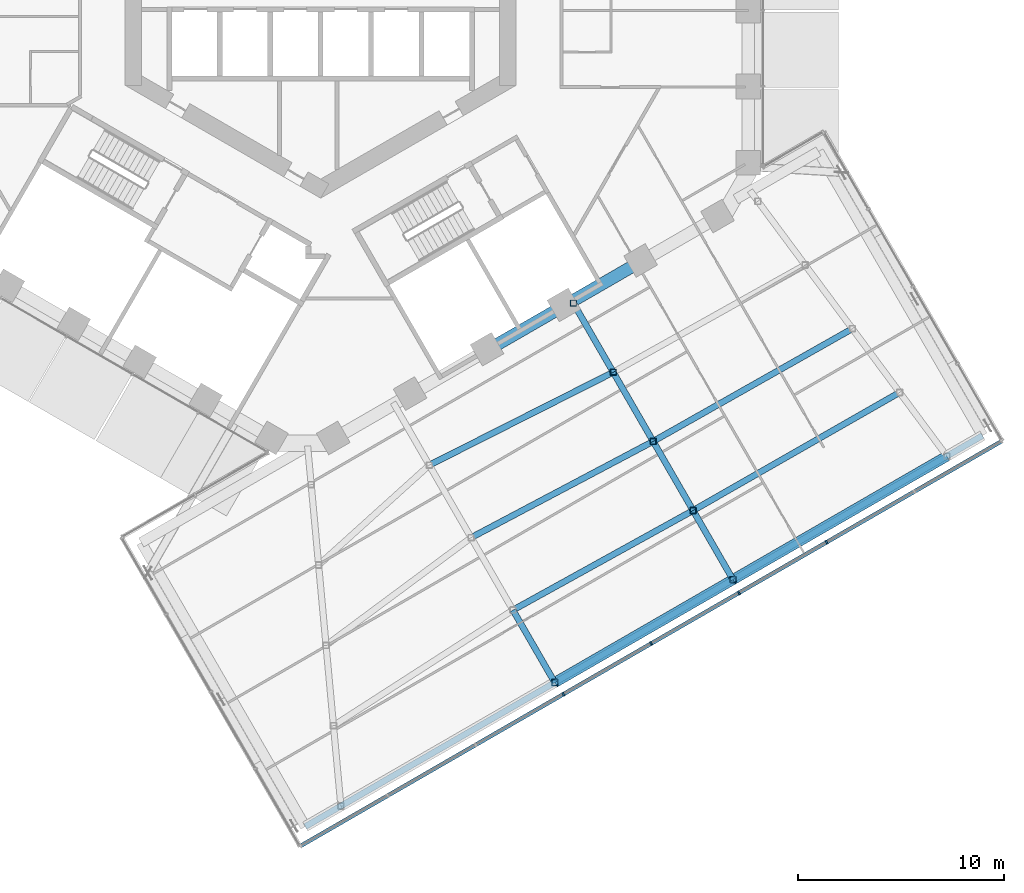
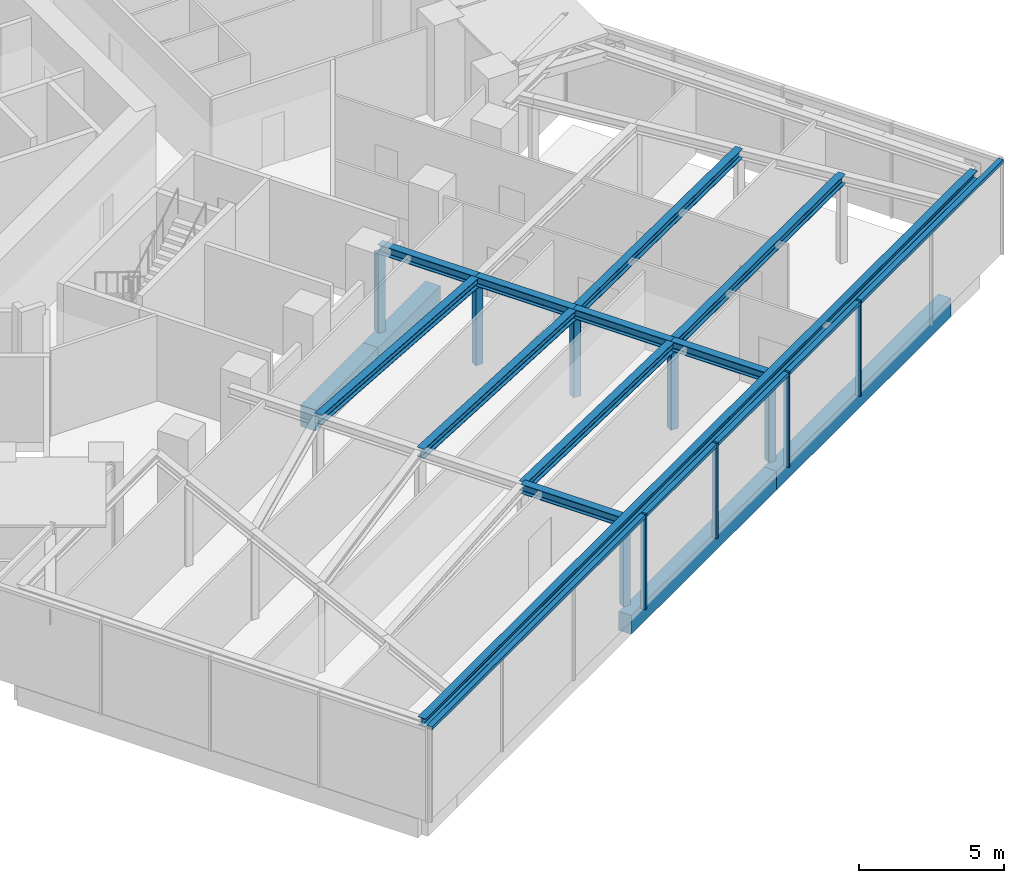
# One storey, part 4 of 28: 15 beams, 11 members, 1 element without a shape of its own.
"""IFC4 building model written with IfcOpenShell, lengths in metres."""

from ifc_helpers import new_model, si_unit, direction, frame, origin, origin_2d, place, context, subcontext, project, spatial, rectangle, hollow_rectangle, i_section, extrude, material, layer, layer_set, material_profile, profile_set, type_object, element, aggregate, save


model = new_model("IFC4")

# Units and contexts
model_context = context("Model", 3, precision=1e-05, world=origin(), true_north=direction((0.0, 1.0)))
body_context = subcontext(model_context, "Body", "Model", "MODEL_VIEW")
ifc_project = project(units=[si_unit("LENGTHUNIT", "METRE"), si_unit("AREAUNIT", "SQUARE_METRE"), si_unit("VOLUMEUNIT", "CUBIC_METRE"), si_unit("PLANEANGLEUNIT", "RADIAN"), si_unit("MASSUNIT", "GRAM", prefix="KILO")], contexts=[model_context])

# Site, building, storey
site_placement = place(None, origin())
site = spatial("IfcSite", under=ifc_project, at=site_placement, CompositionType="ELEMENT")
building_placement = place(site_placement, origin())
building = spatial("IfcBuilding", under=site, at=building_placement, Name="Ayvan Gate Tower", CompositionType="ELEMENT")
storey_placement = place(building_placement, frame((0.0, 0.0, 74.300048828125)))
storey = spatial("IfcBuildingStorey", under=building, at=storey_placement, Name="L19", CompositionType="ELEMENT", Elevation=74.300048828125)

# Beams
ifc_material_1 = material(Name="Concrete C40/50", Category="concrete")
ifc_material_profile_1 = material_profile(ifc_material_1, rectangle(XDim=0.5, YDim=0.800048828125, at=origin_2d()), Name="RC 500x800")
ifc_profile_set_1 = profile_set([ifc_material_profile_1], Name="Concrete C40/50")
beam_type_1 = type_object("IfcBeamType", Name="Sky bar edge beam RC 500x800 C40/50", PredefinedType="BEAM", material=ifc_profile_set_1)
beam_1_placement = place(storey_placement, frame((30.43017578125, -23.506591796875, -0.800048828125), z_axis=(-0.866026010844, -0.49999894854, 0.0), x_axis=(0.49999894854, -0.866026010844, 0.0)))
element("IfcBeam", 1, at=beam_1_placement, inside=storey, type_object=beam_type_1, Name="EB-B1-L19-4", PredefinedType="BEAM", context=body_context, shape_type="SweptSolid", body=[
    extrude(rectangle(XDim=0.5, YDim=0.800048828125, at=origin_2d()), origin(), (0.0, 0.0, 1.0), 12.0),
])
beam_2_placement = place(storey_placement, frame((20.037841796875, -29.506591796875, -0.800048828125), z_axis=(-0.866022959057, -0.500004234368, 0.0), x_axis=(0.500004234368, -0.866022959057, 0.0)))
element("IfcBeam", 2, at=beam_2_placement, inside=storey, type_object=beam_type_1, Name="EB-B1-L19-5", PredefinedType="BEAM", context=body_context, shape_type="SweptSolid", body=[
    extrude(rectangle(XDim=0.5, YDim=0.800048828125, at=origin_2d()), origin(), (0.0, 0.0, 1.0), 10.0),
])
ifc_material_2 = material(Name="Steel S460ML", Category="steel")
ifc_material_profile_2 = material_profile(ifc_material_2, i_section(OverallWidth=0.300048828125, OverallDepth=0.39990234375, WebThickness=0.013427734375, FlangeThickness=0.02392578125, FilletRadius=0.027099609375, at=origin_2d()), Name="HE 400 B")
ifc_profile_set_2 = profile_set([ifc_material_profile_2], Name="Steel S460ML")
beam_type_2 = type_object("IfcBeamType", Name="Sky bar roof beam B1 HE 400 B", PredefinedType="BEAM", material=ifc_profile_set_2)
beam_3_placement = place(storey_placement, frame((9.34521484375, -30.986328125, 3.5), z_axis=(0.500008399602, -0.866020554218, 0.0), x_axis=(0.866020554218, 0.500008399602, 0.0)))
element("IfcBeam", 3, at=beam_3_placement, inside=storey, type_object=beam_type_2, Name="RB-B1-SBT1-2-4", PredefinedType="BEAM", context=body_context, shape_type="SweptSolid", body=[
    extrude(i_section(OverallWidth=0.300048828125, OverallDepth=0.39990234375, WebThickness=0.013427734375, FlangeThickness=0.02392578125, FilletRadius=0.027099609375, at=origin_2d()), origin(), (0.0, 0.0, 1.0), 4.06494140625),
])
beam_4_placement = place(storey_placement, frame((12.280517578125, -16.0703125, 3.5), z_axis=(0.499964010384, -0.866046181402, 0.0), x_axis=(0.866046181402, 0.499964010384, 0.0)))
element("IfcBeam", 4, at=beam_4_placement, inside=storey, type_object=beam_type_2, Name="RB-B1-SBT1-3-1", PredefinedType="BEAM", context=body_context, shape_type="SweptSolid", body=[
    extrude(i_section(OverallWidth=0.300048828125, OverallDepth=0.39990234375, WebThickness=0.013427734375, FlangeThickness=0.02392578125, FilletRadius=0.027099609375, at=origin_2d()), origin(), (0.0, 0.0, 1.0), 3.878662109375),
])
beam_5_placement = place(storey_placement, frame((14.2197265625, -19.429443359375, 3.5), z_axis=(0.500011218404, -0.866018926739, 0.0), x_axis=(0.866018926739, 0.500011218404, 0.0)))
element("IfcBeam", 5, at=beam_5_placement, inside=storey, type_object=beam_type_2, Name="RB-B1-SBT1-3-2", PredefinedType="BEAM", context=body_context, shape_type="SweptSolid", body=[
    extrude(i_section(OverallWidth=0.300048828125, OverallDepth=0.39990234375, WebThickness=0.013427734375, FlangeThickness=0.02392578125, FilletRadius=0.027099609375, at=origin_2d()), origin(), (0.0, 0.0, 1.0), 3.87890625),
])
for number, where, z_axis, x_axis, name in (
    (6, (16.1591796875, -22.78857421875, 3.5), (0.500038474733, -0.866003189247, 0.0), (0.866003189247, 0.500038474733, 0.0), "RB-B1-SBT1-3-3"),
    (7, (18.0986328125, -26.1474609375, 3.5), (0.499964010384, -0.866046181402, 0.0), (0.866046181402, 0.499964010384, 0.0), "RB-B1-SBT1-3-4"),
):
    element("IfcBeam", number, at=place(storey_placement, frame(where, z_axis=z_axis, x_axis=x_axis)), inside=storey, type_object=beam_type_2, Name=name, PredefinedType="BEAM", context=body_context, shape_type="SweptSolid", body=[
        extrude(i_section(OverallWidth=0.300048828125, OverallDepth=0.39990234375, WebThickness=0.013427734375, FlangeThickness=0.02392578125, FilletRadius=0.027099609375, at=origin_2d()), origin(), (0.0, 0.0, 1.0), 3.878662109375),
    ])
beam_6_placement = place(storey_placement, frame((9.34521484375, -30.986328125, 3.5), z_axis=(0.875180070691, 0.483797316927, 0.0), x_axis=(-0.483797316927, 0.875180070691, 0.0)))
element("IfcBeam", 8, at=beam_6_placement, inside=storey, type_object=beam_type_2, Name="RX-B1-23-2", PredefinedType="BEAM", context=body_context, shape_type="SweptSolid", body=[
    extrude(i_section(OverallWidth=0.300048828125, OverallDepth=0.39990234375, WebThickness=0.013427734375, FlangeThickness=0.02392578125, FilletRadius=0.027099609375, at=origin_2d()), origin(), (0.0, 0.0, 1.0), 10.001953125),
])
beam_7_placement = place(storey_placement, frame((7.312744140625, -27.466064453125, 3.5), z_axis=(0.884032295118, 0.467425824263, 0.0), x_axis=(-0.467425824263, 0.884032295118, 0.0)))
element("IfcBeam", 9, at=beam_7_placement, inside=storey, type_object=beam_type_2, Name="RX-B1-23-3", PredefinedType="BEAM", context=body_context, shape_type="SweptSolid", body=[
    extrude(i_section(OverallWidth=0.300048828125, OverallDepth=0.39990234375, WebThickness=0.013427734375, FlangeThickness=0.02392578125, FilletRadius=0.027099609375, at=origin_2d()), origin(), (0.0, 0.0, 1.0), 10.0068359375),
])
beam_8_placement = place(storey_placement, frame((5.2802734375, -23.945556640625, 3.5), z_axis=(0.892566908693, 0.4509149737, 0.0), x_axis=(-0.4509149737, 0.892566908693, 0.0)))
element("IfcBeam", 10, at=beam_8_placement, inside=storey, type_object=beam_type_2, Name="RX-B1-23-4", PredefinedType="BEAM", context=body_context, shape_type="SweptSolid", body=[
    extrude(i_section(OverallWidth=0.300048828125, OverallDepth=0.39990234375, WebThickness=0.013427734375, FlangeThickness=0.02392578125, FilletRadius=0.027099609375, at=origin_2d()), origin(), (0.0, 0.0, 1.0), 10.015380859375),
])
beam_9_placement = place(storey_placement, frame((18.0986328125, -26.1474609375, 3.5), z_axis=(0.868128741731, 0.496339085485, 0.0), x_axis=(-0.496339085485, 0.868128741731, 0.0)))
element("IfcBeam", 11, at=beam_9_placement, inside=storey, type_object=beam_type_2, Name="RX-B1-34-2", PredefinedType="BEAM", context=body_context, shape_type="SweptSolid", body=[
    extrude(i_section(OverallWidth=0.300048828125, OverallDepth=0.39990234375, WebThickness=0.013427734375, FlangeThickness=0.02392578125, FilletRadius=0.027099609375, at=origin_2d()), origin(), (0.0, 0.0, 1.0), 11.559326171875),
])
beam_10_placement = place(storey_placement, frame((16.1591796875, -22.78857421875, 3.5), z_axis=(0.870376707942, 0.492386419667, 0.0), x_axis=(-0.492386419667, 0.870376707942, 0.0)))
element("IfcBeam", 12, at=beam_10_placement, inside=storey, type_object=beam_type_2, Name="RX-B1-34-3", PredefinedType="BEAM", context=body_context, shape_type="SweptSolid", body=[
    extrude(i_section(OverallWidth=0.300048828125, OverallDepth=0.39990234375, WebThickness=0.013427734375, FlangeThickness=0.02392578125, FilletRadius=0.027099609375, at=origin_2d()), origin(), (0.0, 0.0, 1.0), 11.118896484375),
])
ifc_material_profile_3 = material_profile(ifc_material_2, i_section(OverallWidth=0.300048828125, OverallDepth=0.340087890625, WebThickness=0.011962890625, FlangeThickness=0.021484375, FilletRadius=0.027099609375, at=origin_2d()), Name="HE 340 B")
ifc_profile_set_3 = profile_set([ifc_material_profile_3], Name="Steel S460ML")
beam_type_3 = type_object("IfcBeamType", Name="Sky bar roof edge beam B1 HE 340 B", PredefinedType="BEAM", material=ifc_profile_set_3)
beam_11_placement = place(storey_placement, frame((32.162353515625, -22.506591796875, 3.530029296875), z_axis=(-0.86602681393, -0.499997557548, 0.0), x_axis=(0.499997557548, -0.86602681393, 0.0)))
element("IfcBeam", 13, at=beam_11_placement, inside=storey, type_object=beam_type_3, Name="RE-B1-1-1", PredefinedType="BEAM", context=body_context, shape_type="SweptSolid", body=[
    extrude(i_section(OverallWidth=0.300048828125, OverallDepth=0.340087890625, WebThickness=0.011962890625, FlangeThickness=0.021484375, FilletRadius=0.027099609375, at=origin_2d()), origin(), (0.0, 0.0, 1.0), 38.000244140625),
])

# Members
ifc_material_3 = material(Name="Steel S460NH", Category="steel")
ifc_material_profile_4 = material_profile(ifc_material_3, hollow_rectangle(XDim=0.300048828125, YDim=0.300048828125, WallThickness=0.01611328125, InnerFilletRadius=0.01611328125, OuterFilletRadius=0.02392578125, at=origin_2d()), Name="RHS 300x300x16")
ifc_profile_set_4 = profile_set([ifc_material_profile_4], Name="Steel S460NH")
member_type_1 = type_object("IfcMemberType", Name="Sky bar roof post B1 RHS 300x300x16", PredefinedType="POST", material=ifc_profile_set_4)
for number, where, z_axis, x_axis, name in (
    (14, (11.377685546875, -34.506591796875, 0.0), (0.0, 0.0, 1.0), (1.0, 0.0, 0.0), "RP-B1-SBT1-2-4"),
    (15, (12.280517578125, -16.0703125, 0.0), (0.0, 0.0, 1.0), (1.0, 0.0, 0.0), "RP-B1-SBT1-3-1"),
    (16, (14.2197265625, -19.429443359375, 0.0), (0.0, 0.0, 1.0), (1.0, 0.0, 0.0), "RP-B1-SBT1-3-2"),
    (17, (16.1591796875, -22.78857421875, 0.0), (0.0, 0.0, 1.0), (1.0, 0.0, 0.0), "RP-B1-SBT1-3-3"),
    (18, (18.0986328125, -26.1474609375, 0.0), (0.0, 0.0, 1.0), (1.0, 0.0, 0.0), "RP-B1-SBT1-3-4"),
    (19, (20.037841796875, -29.506591796875, 0.0), (0.0, 0.0, 1.0), (1.0, 0.0, 0.0), "RP-B1-SBT1-3-5"),
):
    element("IfcMember", number, at=place(storey_placement, frame(where, z_axis=z_axis, x_axis=x_axis)), inside=storey, type_object=member_type_1, Name=name, PredefinedType="POST", context=body_context, shape_type="SweptSolid", body=[
        extrude(hollow_rectangle(XDim=0.300048828125, YDim=0.300048828125, WallThickness=0.01611328125, InnerFilletRadius=0.01611328125, OuterFilletRadius=0.02392578125, at=origin_2d()), origin(), (0.0, 0.0, 1.0), 3.300048828125),
    ])

# Beams
ifc_material_profile_5 = material_profile(ifc_material_1, rectangle(XDim=0.60009765625, YDim=0.89990234375, at=origin_2d()), Name="RC 600x900")
ifc_profile_set_5 = profile_set([ifc_material_profile_5], Name="Concrete C40/50")
beam_type_4 = type_object("IfcBeamType", Name="Spandrel beam RC 600x900 C40/50", PredefinedType="BEAM", material=ifc_profile_set_5)
for number, where, z_axis, x_axis, name in (
    (20, (8.111572265625, -18.350341796875, -0.85009765625), (0.866012580594, 0.500022209759, 0.0), (-0.500022209759, 0.866012580594, 0.0), "SB-L19-33"),
    (21, (11.8359375, -16.199951171875, -0.85009765625), (0.866037162714, 0.499979632384, 0.0), (-0.499979632384, 0.866037162714, 0.0), "SB-L19-34"),
):
    element("IfcBeam", number, at=place(storey_placement, frame(where, z_axis=z_axis, x_axis=x_axis)), inside=storey, type_object=beam_type_4, Name=name, PredefinedType="BEAM", context=body_context, shape_type="SweptSolid", body=[
        extrude(rectangle(XDim=0.60009765625, YDim=0.89990234375, at=origin_2d()), origin(), (0.0, 0.0, 1.0), 4.300537109375),
    ])

# Curtain wall, members
ifc_material_4 = material(Name="Bronze anodised aluminium", Category="aluminium")
ifc_layer = layer(ifc_material_4, 0.199951171875)
ifc_layer_set = layer_set([ifc_layer], Name="Bronze anodised aluminium")
curtain_wall_type = type_object("IfcCurtainWallType", Name="Stick curtain wall CW-4", PredefinedType="NOTDEFINED", material=ifc_layer_set)
curtain_wall_placement = place(storey_placement, origin())
curtain_wall = element("IfcCurtainWall", 22, at=curtain_wall_placement, inside=storey, type_object=curtain_wall_type, Name="Stick curtain wall CW-4 L19", PredefinedType="NOTDEFINED")
ifc_material_profile_6 = material_profile(ifc_material_4, rectangle(XDim=0.199951171875, YDim=0.080078125, at=origin_2d()), Name="Stick curtain wall CW-4 mullion 200 x 80")
ifc_profile_set_6 = profile_set([ifc_material_profile_6], Name="Bronze anodised aluminium")
member_type_2 = type_object("IfcMemberType", Name="Stick curtain wall CW-4 mullion 200 x 80", PredefinedType="MULLION", material=ifc_profile_set_6)
member_1_placement = place(storey_placement, frame((11.79248046875, -35.075439453125, 0.0), z_axis=(0.0, 0.0, 1.0), x_axis=(0.5, -0.866025403784, 0.0)))
member_1 = element("IfcMember", 23, at=member_1_placement, type_object=member_type_2, Name="CW-4 mullion 4", PredefinedType="MULLION", context=body_context, shape_type="SweptSolid", body=[
    extrude(rectangle(XDim=0.199951171875, YDim=0.080078125, at=origin_2d()), origin(), (0.0, 0.0, 1.0), 4.0),
])
member_2_placement = place(storey_placement, frame((16.057861328125, -32.61279296875, 0.0), z_axis=(0.0, 0.0, 1.0), x_axis=(0.5, -0.866025403784, 0.0)))
member_2 = element("IfcMember", 24, at=member_2_placement, type_object=member_type_2, Name="CW-4 mullion 5", PredefinedType="MULLION", context=body_context, shape_type="SweptSolid", body=[
    extrude(rectangle(XDim=0.199951171875, YDim=0.080078125, at=origin_2d()), origin(), (0.0, 0.0, 1.0), 4.0),
])
member_3_placement = place(storey_placement, frame((20.322998046875, -30.150390625, 0.0), z_axis=(0.0, 0.0, 1.0), x_axis=(0.5, -0.866025403784, 0.0)))
member_3 = element("IfcMember", 25, at=member_3_placement, type_object=member_type_2, Name="CW-4 mullion 6", PredefinedType="MULLION", context=body_context, shape_type="SweptSolid", body=[
    extrude(rectangle(XDim=0.199951171875, YDim=0.080078125, at=origin_2d()), origin(), (0.0, 0.0, 1.0), 4.0),
])
member_4_placement = place(storey_placement, frame((24.588134765625, -27.687744140625, 0.0), z_axis=(0.0, 0.0, 1.0), x_axis=(0.5, -0.866025403784, 0.0)))
member_4 = element("IfcMember", 26, at=member_4_placement, type_object=member_type_2, Name="CW-4 mullion 7", PredefinedType="MULLION", context=body_context, shape_type="SweptSolid", body=[
    extrude(rectangle(XDim=0.199951171875, YDim=0.080078125, at=origin_2d()), origin(), (0.0, 0.0, 1.0), 4.0),
])
ifc_material_profile_7 = material_profile(ifc_material_4, rectangle(XDim=0.199951171875, YDim=0.139892578125, at=origin_2d()), Name="Stick curtain wall CW-4 transom 200 x 140")
ifc_profile_set_7 = profile_set([ifc_material_profile_7], Name="Bronze anodised aluminium")
member_type_3 = type_object("IfcMemberType", Name="Stick curtain wall CW-4 transom 200 x 140", PredefinedType="USERDEFINED", material=ifc_profile_set_7)
member_5_placement = place(storey_placement, frame((-0.96826171875, -42.44287109375, 3.929931640625), z_axis=(0.866025628272, 0.499999611175, 0.0), x_axis=(-0.499999611175, 0.866025628272, 0.0)))
member_5 = element("IfcMember", 27, at=member_5_placement, type_object=member_type_3, Name="CW-4 transom 1", ObjectType="TRANSOM", PredefinedType="USERDEFINED", context=body_context, shape_type="SweptSolid", body=[
    extrude(rectangle(XDim=0.199951171875, YDim=0.139892578125, at=origin_2d()), origin(), (0.0, 0.0, 1.0), 39.31982421875),
])
aggregate(curtain_wall, [member_1, member_2, member_3, member_4, member_5])

save(model, "model.ifc")
